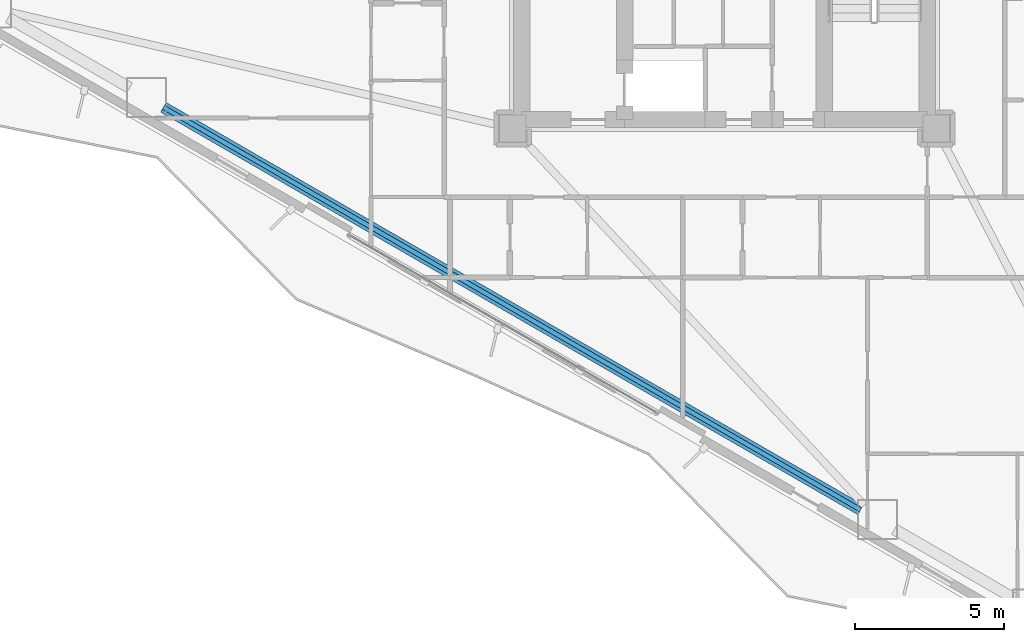
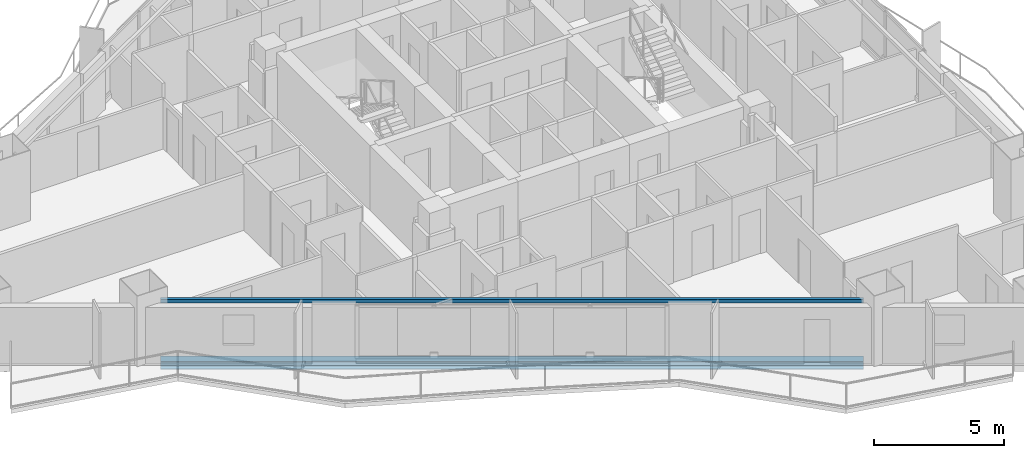
# One storey, part 3 of 18: 2 beams.
"""IFC4 building model written with IfcOpenShell, lengths in metres."""

from ifc_helpers import new_model, si_unit, direction, frame, origin, origin_2d, place, context, subcontext, project, spatial, hollow_rectangle, i_section, extrude, material, material_profile, profile_set, type_object, element, save


model = new_model("IFC4")

# Units and contexts
model_context = context("Model", 3, precision=1e-05, world=origin(), true_north=direction((0.0, 1.0)))
body_context = subcontext(model_context, "Body", "Model", "MODEL_VIEW")
ifc_project = project(units=[si_unit("LENGTHUNIT", "METRE"), si_unit("AREAUNIT", "SQUARE_METRE"), si_unit("VOLUMEUNIT", "CUBIC_METRE"), si_unit("PLANEANGLEUNIT", "RADIAN"), si_unit("MASSUNIT", "GRAM", prefix="KILO")], contexts=[model_context])

# Site, building, storey
site_placement = place(None, origin())
site = spatial("IfcSite", under=ifc_project, at=site_placement, CompositionType="ELEMENT")
building_placement = place(site_placement, origin())
building = spatial("IfcBuilding", under=site, at=building_placement, Name="Mersakhor Tower and Convention Hall", CompositionType="ELEMENT")
storey_placement = place(building_placement, frame((0.0, 0.0, 35.699951171875)))
storey = spatial("IfcBuildingStorey", under=building, at=storey_placement, Name="L09", CompositionType="ELEMENT", Elevation=35.699951171875)

# Beams
ifc_material_1 = material(Name="Steel S355", Category="steel")
ifc_material_profile_1 = material_profile(ifc_material_1, hollow_rectangle(XDim=0.14990234375, YDim=0.14990234375, WallThickness=0.010009765625, at=origin_2d()), Name="SHS 150x150x10")
ifc_profile_set_1 = profile_set([ifc_material_profile_1], Name="Steel S355")
beam_type_1 = type_object("IfcBeamType", Name="BM-GRT-SHS150", PredefinedType="USERDEFINED", material=ifc_profile_set_1)
beam_1_placement = place(storey_placement, frame((33.566162109375, 7.6591796875, 2.47998046875), z_axis=(-0.866025970279, 0.499999018801, 0.0), x_axis=(-0.499999018801, -0.866025970279, 0.0)))
element("IfcBeam", 1, at=beam_1_placement, inside=storey, type_object=beam_type_1, Name="L09 Facade Support Girt GRT-F3", ObjectType="GIRT", PredefinedType="USERDEFINED", context=body_context, shape_type="SweptSolid", body=[
    extrude(hollow_rectangle(XDim=0.14990234375, YDim=0.14990234375, WallThickness=0.010009765625, at=origin_2d()), origin(), (0.0, 0.0, 1.0), 26.99951171875),
])
ifc_material_2 = material(Name="Steel S355", Category="steel")
ifc_material_profile_2 = material_profile(ifc_material_2, i_section(OverallWidth=0.374755859375, OverallDepth=0.37451171875, WebThickness=0.0166015625, FlangeThickness=0.027099609375, at=origin_2d()), Name="UC 356x368x202")
ifc_profile_set_2 = profile_set([ifc_material_profile_2], Name="Steel S355")
beam_type_2 = type_object("IfcBeamType", Name="BM-SPD-UC356", PredefinedType="SPANDREL", material=ifc_profile_set_2)
beam_2_placement = place(storey_placement, frame((33.566162109375, 7.6591796875, -0.447265625), z_axis=(-0.866025970279, 0.499999018801, 0.0), x_axis=(-0.499999018801, -0.866025970279, 0.0)))
element("IfcBeam", 2, at=beam_2_placement, inside=storey, type_object=beam_type_2, Name="L09 Perimeter Spandrel Beam SPB-10", PredefinedType="SPANDREL", context=body_context, shape_type="SweptSolid", body=[
    extrude(i_section(OverallWidth=0.374755859375, OverallDepth=0.37451171875, WebThickness=0.0166015625, FlangeThickness=0.027099609375, at=origin_2d()), origin(), (0.0, 0.0, 1.0), 26.99951171875),
])

save(model, "model.ifc")
